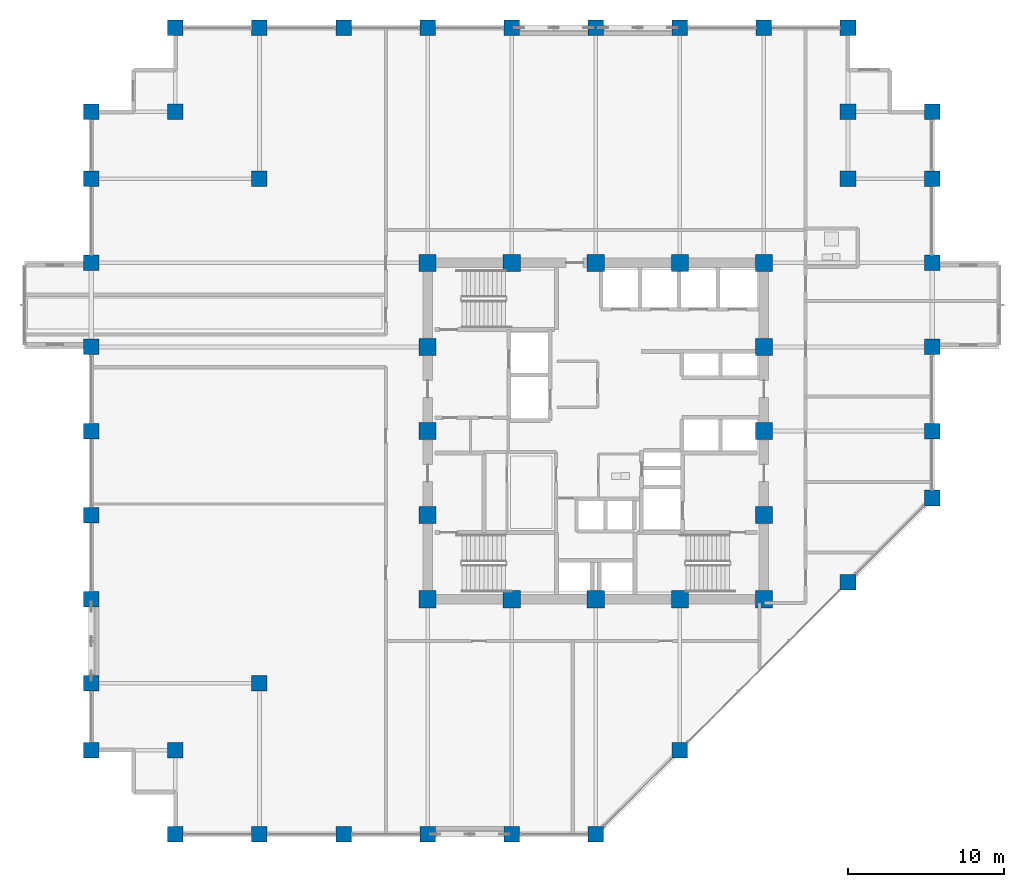
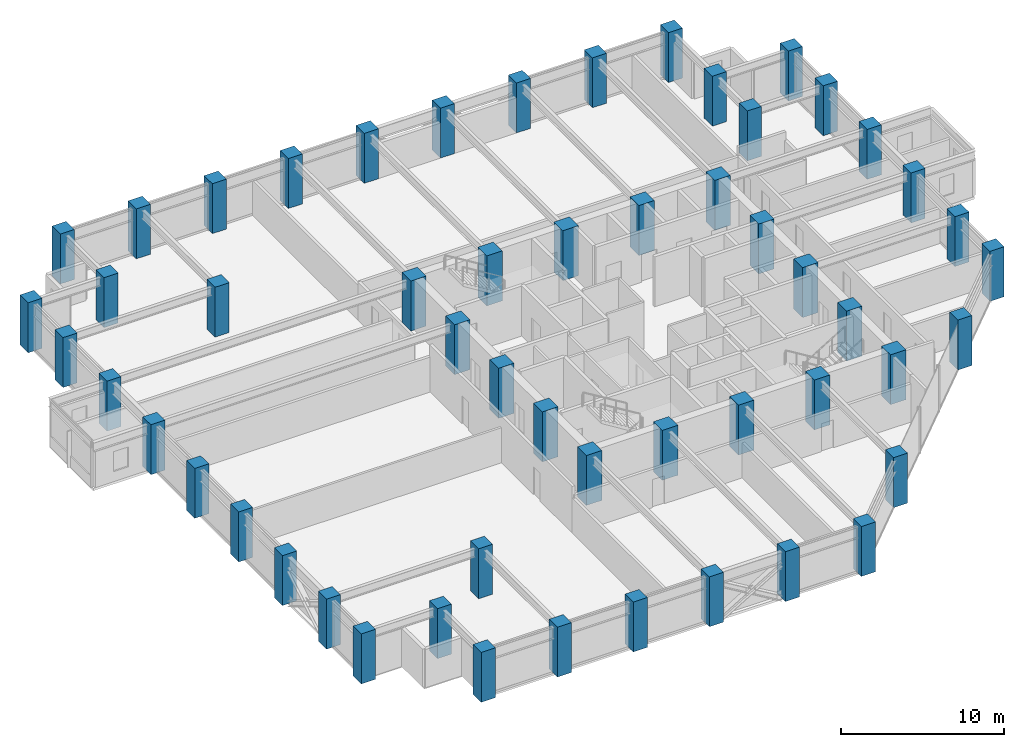
# One storey, part 1 of 29: 54 columns.
"""IFC4 building model written with IfcOpenShell, lengths in metres."""

from ifc_helpers import new_model, si_unit, direction, frame, origin, origin_2d, place, context, subcontext, project, spatial, rectangle, extrude, material, material_profile, profile_set, type_object, element, save


model = new_model("IFC4")

# Units and contexts
model_context = context("Model", 3, precision=1e-05, world=origin(), true_north=direction((0.0, 1.0)))
body_context = subcontext(model_context, "Body", "Model", "MODEL_VIEW")
ifc_project = project(units=[si_unit("LENGTHUNIT", "METRE"), si_unit("AREAUNIT", "SQUARE_METRE"), si_unit("VOLUMEUNIT", "CUBIC_METRE"), si_unit("PLANEANGLEUNIT", "RADIAN"), si_unit("MASSUNIT", "GRAM", prefix="KILO")], contexts=[model_context])

# Site, building, storey
site_placement = place(None, origin())
site = spatial("IfcSite", under=ifc_project, at=site_placement, CompositionType="ELEMENT")
building_placement = place(site_placement, origin())
building = spatial("IfcBuilding", under=site, at=building_placement, Name="Surkhivell Harbour Commons", CompositionType="ELEMENT")
storey_placement = place(building_placement, frame((0.0, 0.0, 158.25)))
storey = spatial("IfcBuildingStorey", under=building, at=storey_placement, Name="L41", CompositionType="ELEMENT", Elevation=158.25)

# Columns
ifc_material = material(Name="Concrete C60/75", Category="concrete")
ifc_material_profile_1 = material_profile(ifc_material, rectangle(XDim=1.10009765625, YDim=1.10009765625, at=origin_2d()), Name="RC-COL-1100x1100")
ifc_profile_set_1 = profile_set([ifc_material_profile_1], Name="Concrete C60/75")
column_type_1 = type_object("IfcColumnType", Name="COL-TUBE-Z2A", PredefinedType="COLUMN", material=ifc_profile_set_1)
for number, where, z_axis, x_axis, name in (
    (1, (-10.800048828125, -10.800048828125, 0.0), (0.0, 0.0, 1.0), (1.0, 0.0, 0.0), "L41 Column CT-2A (-10.8,-10.8)"),
    (2, (-10.800048828125, -5.39990234375, 0.0), (0.0, 0.0, 1.0), (1.0, 0.0, 0.0), "L41 Column CT-2A (-10.8,-5.4)"),
    (3, (-10.800048828125, 0.0, 0.0), (0.0, 0.0, 1.0), (1.0, 0.0, 0.0), "L41 Column CT-2A (-10.8,0.0)"),
    (4, (-10.800048828125, 5.39990234375, 0.0), (0.0, 0.0, 1.0), (1.0, 0.0, 0.0), "L41 Column CT-2A (-10.8,5.4)"),
    (5, (-10.800048828125, 10.800048828125, 0.0), (0.0, 0.0, 1.0), (1.0, 0.0, 0.0), "L41 Column CT-2A (-10.8,10.8)"),
    (6, (-5.39990234375, -10.800048828125, 0.0), (0.0, 0.0, 1.0), (1.0, 0.0, 0.0), "L41 Column CT-2A (-5.4,-10.8)"),
    (7, (-5.39990234375, 10.800048828125, 0.0), (0.0, 0.0, 1.0), (1.0, 0.0, 0.0), "L41 Column CT-2A (-5.4,10.8)"),
    (8, (0.0, -10.800048828125, 0.0), (0.0, 0.0, 1.0), (1.0, 0.0, 0.0), "L41 Column CT-2A (0.0,-10.8)"),
    (9, (0.0, 10.800048828125, 0.0), (0.0, 0.0, 1.0), (1.0, 0.0, 0.0), "L41 Column CT-2A (0.0,10.8)"),
    (10, (5.39990234375, -10.800048828125, 0.0), (0.0, 0.0, 1.0), (1.0, 0.0, 0.0), "L41 Column CT-2A (5.4,-10.8)"),
    (11, (5.39990234375, 10.800048828125, 0.0), (0.0, 0.0, 1.0), (1.0, 0.0, 0.0), "L41 Column CT-2A (5.4,10.8)"),
    (12, (10.800048828125, -10.800048828125, 0.0), (0.0, 0.0, 1.0), (1.0, 0.0, 0.0), "L41 Column CT-2A (10.8,-10.8)"),
    (13, (10.800048828125, -5.39990234375, 0.0), (0.0, 0.0, 1.0), (1.0, 0.0, 0.0), "L41 Column CT-2A (10.8,-5.4)"),
    (14, (10.800048828125, 0.0, 0.0), (0.0, 0.0, 1.0), (1.0, 0.0, 0.0), "L41 Column CT-2A (10.8,0.0)"),
    (15, (10.800048828125, 5.39990234375, 0.0), (0.0, 0.0, 1.0), (1.0, 0.0, 0.0), "L41 Column CT-2A (10.8,5.4)"),
    (16, (10.800048828125, 10.800048828125, 0.0), (0.0, 0.0, 1.0), (1.0, 0.0, 0.0), "L41 Column CT-2A (10.8,10.8)"),
):
    element("IfcColumn", number, at=place(storey_placement, frame(where, z_axis=z_axis, x_axis=x_axis)), inside=storey, type_object=column_type_1, Name=name, PredefinedType="COLUMN", context=body_context, shape_type="SweptSolid", body=[
        extrude(rectangle(XDim=1.10009765625, YDim=1.10009765625, at=origin_2d()), origin(), (0.0, 0.0, 1.0), 3.75),
    ])
ifc_material_profile_2 = material_profile(ifc_material, rectangle(XDim=1.0, YDim=1.0, at=origin_2d()), Name="RC-COL-1000x1000")
ifc_profile_set_2 = profile_set([ifc_material_profile_2], Name="Concrete C60/75")
column_type_2 = type_object("IfcColumnType", Name="COL-TUBE-Z2B", PredefinedType="COLUMN", material=ifc_profile_set_2)
for number, where, z_axis, x_axis, name in (
    (17, (-32.39990234375, -20.5, 0.0), (0.0, 0.0, 1.0), (1.0, 0.0, 0.0), "L41 Column CT-2B (-32.4,-20.5)"),
    (18, (-32.39990234375, -16.199951171875, 0.0), (0.0, 0.0, 1.0), (1.0, 0.0, 0.0), "L41 Column CT-2B (-32.4,-16.2)"),
    (19, (-32.39990234375, -10.800048828125, 0.0), (0.0, 0.0, 1.0), (1.0, 0.0, 0.0), "L41 Column CT-2B (-32.4,-10.8)"),
    (20, (-32.39990234375, -5.39990234375, 0.0), (0.0, 0.0, 1.0), (1.0, 0.0, 0.0), "L41 Column CT-2B (-32.4,-5.4)"),
    (21, (-32.39990234375, 0.0, 0.0), (0.0, 0.0, 1.0), (1.0, 0.0, 0.0), "L41 Column CT-2B (-32.4,0.0)"),
    (22, (-32.39990234375, 5.39990234375, 0.0), (0.0, 0.0, 1.0), (1.0, 0.0, 0.0), "L41 Column CT-2B (-32.4,5.4)"),
    (23, (-32.39990234375, 10.800048828125, 0.0), (0.0, 0.0, 1.0), (1.0, 0.0, 0.0), "L41 Column CT-2B (-32.4,10.8)"),
    (24, (-32.39990234375, 16.199951171875, 0.0), (0.0, 0.0, 1.0), (1.0, 0.0, 0.0), "L41 Column CT-2B (-32.4,16.2)"),
    (25, (-32.39990234375, 20.5, 0.0), (0.0, 0.0, 1.0), (1.0, 0.0, 0.0), "L41 Column CT-2B (-32.4,20.5)"),
    (26, (-27.0, -25.89990234375, 0.0), (0.0, 0.0, 1.0), (1.0, 0.0, 0.0), "L41 Column CT-2B (-27.0,-25.9)"),
    (27, (-27.0, -20.5, 0.0), (0.0, 0.0, 1.0), (1.0, 0.0, 0.0), "L41 Column CT-2B (-27.0,-20.5)"),
    (28, (-27.0, 20.5, 0.0), (0.0, 0.0, 1.0), (1.0, 0.0, 0.0), "L41 Column CT-2B (-27.0,20.5)"),
    (29, (-27.0, 25.89990234375, 0.0), (0.0, 0.0, 1.0), (1.0, 0.0, 0.0), "L41 Column CT-2B (-27.0,25.9)"),
    (30, (-21.60009765625, -25.89990234375, 0.0), (0.0, 0.0, 1.0), (1.0, 0.0, 0.0), "L41 Column CT-2B (-21.6,-25.9)"),
    (31, (-21.60009765625, -16.199951171875, 0.0), (0.0, 0.0, 1.0), (1.0, 0.0, 0.0), "L41 Column CT-2B (-21.6,-16.2)"),
    (32, (-21.60009765625, 16.199951171875, 0.0), (0.0, 0.0, 1.0), (1.0, 0.0, 0.0), "L41 Column CT-2B (-21.6,16.2)"),
    (33, (-21.60009765625, 25.89990234375, 0.0), (0.0, 0.0, 1.0), (1.0, 0.0, 0.0), "L41 Column CT-2B (-21.6,25.9)"),
    (34, (-16.199951171875, -25.89990234375, 0.0), (0.0, 0.0, 1.0), (1.0, 0.0, 0.0), "L41 Column CT-2B (-16.2,-25.9)"),
    (35, (-16.199951171875, 25.89990234375, 0.0), (0.0, 0.0, 1.0), (1.0, 0.0, 0.0), "L41 Column CT-2B (-16.2,25.9)"),
    (36, (-10.800048828125, -25.89990234375, 0.0), (0.0, 0.0, 1.0), (1.0, 0.0, 0.0), "L41 Column CT-2B (-10.8,-25.9)"),
    (37, (-10.800048828125, 25.89990234375, 0.0), (0.0, 0.0, 1.0), (1.0, 0.0, 0.0), "L41 Column CT-2B (-10.8,25.9)"),
    (38, (-5.39990234375, -25.89990234375, 0.0), (0.0, 0.0, 1.0), (1.0, 0.0, 0.0), "L41 Column CT-2B (-5.4,-25.9)"),
    (39, (-5.39990234375, 25.89990234375, 0.0), (0.0, 0.0, 1.0), (1.0, 0.0, 0.0), "L41 Column CT-2B (-5.4,25.9)"),
    (40, (0.0, -25.89990234375, 0.0), (0.0, 0.0, 1.0), (1.0, 0.0, 0.0), "L41 Column CT-2B (-0.0,-25.9)"),
    (41, (0.0, 25.89990234375, 0.0), (0.0, 0.0, 1.0), (1.0, 0.0, 0.0), "L41 Column CT-2B (-0.0,25.9)"),
    (42, (5.39990234375, -20.5, 0.0), (0.0, 0.0, 1.0), (1.0, 0.0, 0.0), "L41 Column CT-2B (5.4,-20.5)"),
    (43, (5.39990234375, 25.89990234375, 0.0), (0.0, 0.0, 1.0), (1.0, 0.0, 0.0), "L41 Column CT-2B (5.4,25.9)"),
    (44, (10.800048828125, 25.89990234375, 0.0), (0.0, 0.0, 1.0), (1.0, 0.0, 0.0), "L41 Column CT-2B (10.8,25.9)"),
    (45, (16.199951171875, -9.699951171875, 0.0), (0.0, 0.0, 1.0), (1.0, 0.0, 0.0), "L41 Column CT-2B (16.2,-9.7)"),
    (46, (16.199951171875, 16.199951171875, 0.0), (0.0, 0.0, 1.0), (1.0, 0.0, 0.0), "L41 Column CT-2B (16.2,16.2)"),
    (47, (16.199951171875, 20.5, 0.0), (0.0, 0.0, 1.0), (1.0, 0.0, 0.0), "L41 Column CT-2B (16.2,20.5)"),
    (48, (16.199951171875, 25.89990234375, 0.0), (0.0, 0.0, 1.0), (1.0, 0.0, 0.0), "L41 Column CT-2B (16.2,25.9)"),
    (49, (21.60009765625, -4.300048828125, 0.0), (0.0, 0.0, 1.0), (1.0, 0.0, 0.0), "L41 Column CT-2B (21.6,-4.3)"),
    (50, (21.60009765625, 0.0, 0.0), (0.0, 0.0, 1.0), (1.0, 0.0, 0.0), "L41 Column CT-2B (21.6,0.0)"),
    (51, (21.60009765625, 5.39990234375, 0.0), (0.0, 0.0, 1.0), (1.0, 0.0, 0.0), "L41 Column CT-2B (21.6,5.4)"),
    (52, (21.60009765625, 10.800048828125, 0.0), (0.0, 0.0, 1.0), (1.0, 0.0, 0.0), "L41 Column CT-2B (21.6,10.8)"),
    (53, (21.60009765625, 16.199951171875, 0.0), (0.0, 0.0, 1.0), (1.0, 0.0, 0.0), "L41 Column CT-2B (21.6,16.2)"),
    (54, (21.60009765625, 20.5, 0.0), (0.0, 0.0, 1.0), (1.0, 0.0, 0.0), "L41 Column CT-2B (21.6,20.5)"),
):
    element("IfcColumn", number, at=place(storey_placement, frame(where, z_axis=z_axis, x_axis=x_axis)), inside=storey, type_object=column_type_2, Name=name, PredefinedType="COLUMN", context=body_context, shape_type="SweptSolid", body=[
        extrude(rectangle(XDim=1.0, YDim=1.0, at=origin_2d()), origin(), (0.0, 0.0, 1.0), 3.75),
    ])

save(model, "model.ifc")
